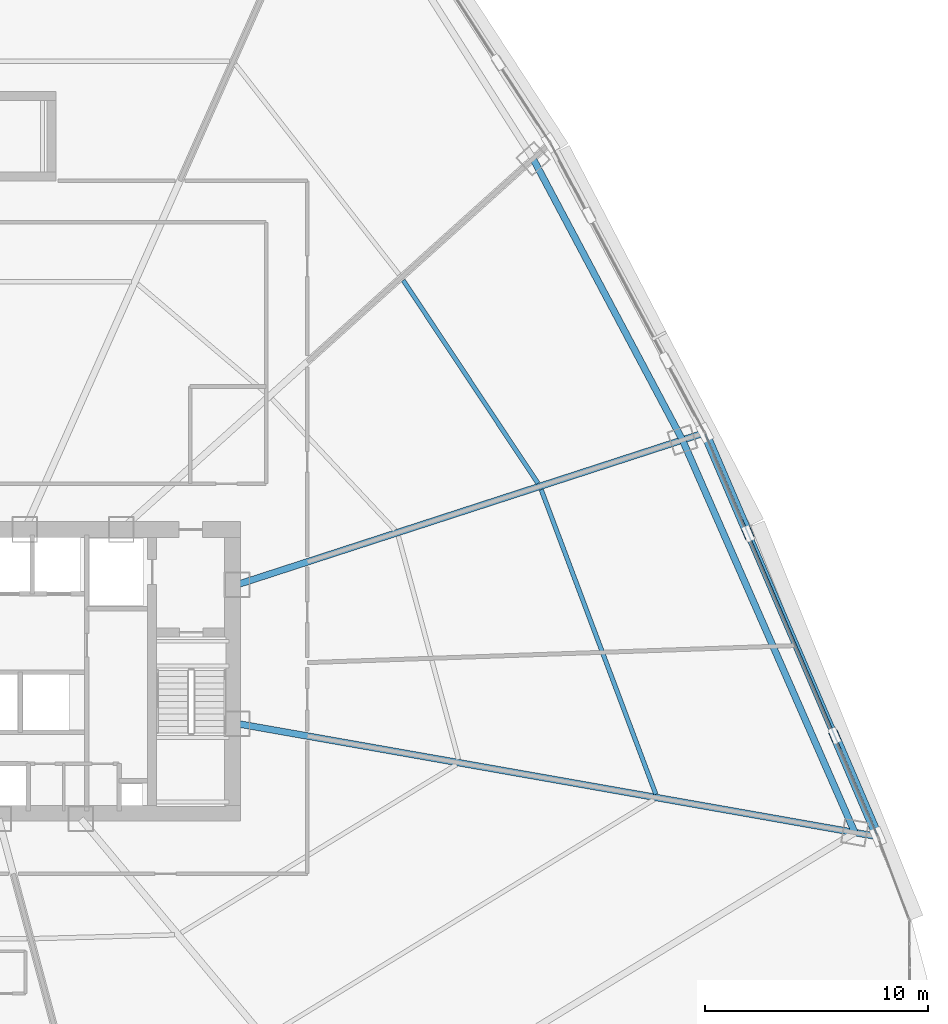
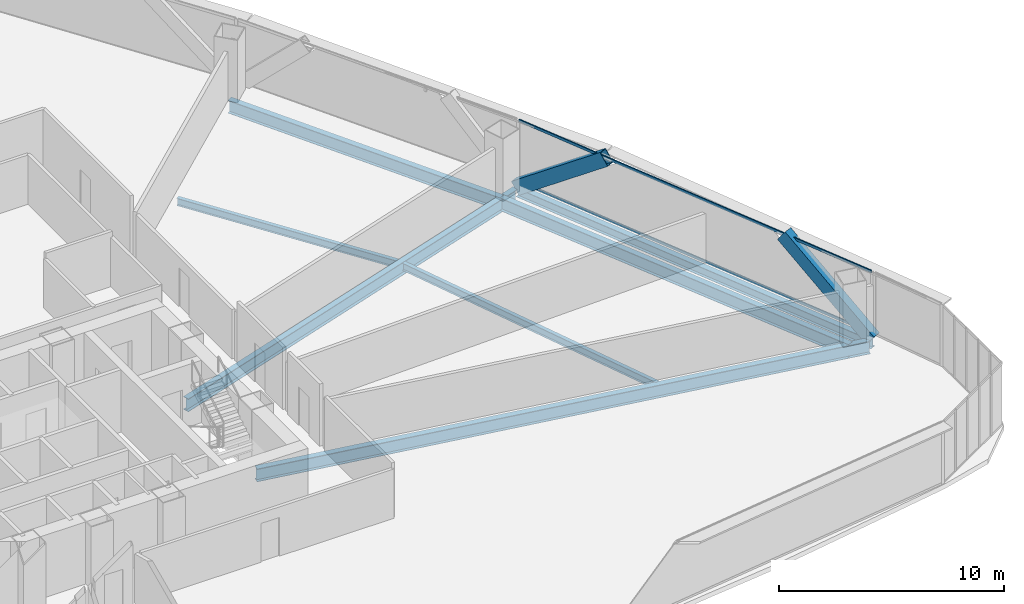
# One storey, part 23 of 41: 7 beams, 4 members, 1 element without a shape of its own.
"""IFC4 building model written with IfcOpenShell, lengths in metres."""

from ifc_helpers import new_model, si_unit, direction, frame, origin, origin_2d, place, context, subcontext, project, spatial, hollow_rectangle, i_section, extrude, source, transform, mapped, material, layer, layer_set, material_profile, profile_set, type_object, element, aggregate, save


model = new_model("IFC4")

# Units and contexts
model_context = context("Model", 3, precision=1e-05, world=origin(), true_north=direction((0.0, 1.0)))
body_context = subcontext(model_context, "Body", "Model", "MODEL_VIEW")
ifc_project = project(units=[si_unit("LENGTHUNIT", "METRE"), si_unit("AREAUNIT", "SQUARE_METRE"), si_unit("VOLUMEUNIT", "CUBIC_METRE"), si_unit("PLANEANGLEUNIT", "RADIAN"), si_unit("MASSUNIT", "GRAM", prefix="KILO"), si_unit("THERMODYNAMICTEMPERATUREUNIT", "KELVIN"), si_unit("POWERUNIT", "WATT")], contexts=[model_context])

# Site, building, storey
site_placement = place(None, origin())
site = spatial("IfcSite", under=ifc_project, at=site_placement, CompositionType="ELEMENT")
building_placement = place(site_placement, origin())
building = spatial("IfcBuilding", under=site, at=building_placement, Name="Yunzhuo Pagoda Commons", CompositionType="ELEMENT")
storey_placement = place(building_placement, frame((0.0, 0.0, 63.070068359375)))
storey = spatial("IfcBuildingStorey", under=building, at=storey_placement, Name="L16", CompositionType="ELEMENT", Elevation=63.070068359375)

# Beams
ifc_material_1 = material(Name="Structural steel Q355B", Category="steel")
ifc_material_profile_1 = material_profile(ifc_material_1, i_section(OverallWidth=0.300048828125, OverallDepth=0.699951171875, WebThickness=0.012939453125, FlangeThickness=0.02392578125, at=origin_2d()), Name="Structural steel Q355B")
ifc_profile_set_1 = profile_set([ifc_material_profile_1], Name="Structural steel Q355B")
beam_type_1 = type_object("IfcBeamType", Name="B-RG1 Beam HN 700x300x13x24", PredefinedType="BEAM", material=ifc_profile_set_1)
shared_shape_1 = source(origin(), body_context, "Body", "SweptSolid", [
    extrude(i_section(OverallWidth=0.300048828125, OverallDepth=0.699951171875, WebThickness=0.012939453125, FlangeThickness=0.02392578125, at=origin_2d()), origin(), (0.0, 0.0, 1.0), 19.18603515625),
])
beam_1_placement = place(storey_placement, frame((88.047607421875, 26.638427734375, -0.610107421875), z_axis=(-0.40196534204, 0.915654882474, 0.0), x_axis=(-0.915654882474, -0.40196534204, 0.0)))
element("IfcBeam", 1, at=beam_1_placement, inside=storey, type_object=beam_type_1, Name="L16 column-ring beam 5", PredefinedType="BEAM", context=body_context, shape_type="MappedRepresentation", body=[
    mapped(shared_shape_1, transform((0.0, 0.0, 0.0), scale=1.0)),
])
shared_shape_2 = source(origin(), body_context, "Body", "SweptSolid", [
    extrude(i_section(OverallWidth=0.300048828125, OverallDepth=0.699951171875, WebThickness=0.012939453125, FlangeThickness=0.02392578125, at=origin_2d()), origin(), (0.0, 0.0, 1.0), 14.25390625),
])
beam_2_placement = place(storey_placement, frame((80.33544921875, 44.206298828125, -0.610107421875), z_axis=(-0.469118073628, 0.883135455633, 0.0), x_axis=(-0.883135455633, -0.469118073628, 0.0)))
element("IfcBeam", 2, at=beam_2_placement, inside=storey, type_object=beam_type_1, Name="L16 column-ring beam 6", PredefinedType="BEAM", context=body_context, shape_type="MappedRepresentation", body=[
    mapped(shared_shape_2, transform((0.0, 0.0, 0.0), scale=1.0)),
])
ifc_material_profile_2 = material_profile(ifc_material_1, i_section(OverallWidth=0.199951171875, OverallDepth=0.39990234375, WebThickness=0.008056640625, FlangeThickness=0.012939453125, at=origin_2d()), Name="Structural steel Q355B")
ifc_profile_set_2 = profile_set([ifc_material_profile_2], Name="Structural steel Q355B")
beam_type_2 = type_object("IfcBeamType", Name="B-JS1 Joist HN 400x200x8x13", PredefinedType="JOIST", material=ifc_profile_set_2)
shared_shape_3 = source(origin(), body_context, "Body", "SweptSolid", [
    extrude(i_section(OverallWidth=0.199951171875, OverallDepth=0.39990234375, WebThickness=0.008056640625, FlangeThickness=0.012939453125, at=origin_2d()), origin(), (0.0, 0.0, 1.0), 14.571044921875),
])
beam_3_placement = place(storey_placement, frame((79.144287109375, 28.347412109375, -0.4599609375), z_axis=(-0.352208383632, 0.935921607027, 0.0), x_axis=(-0.935921607027, -0.352208383632, 0.0)))
element("IfcBeam", 3, at=beam_3_placement, inside=storey, type_object=beam_type_2, Name="L16 composite ring joist 2.5", PredefinedType="JOIST", context=body_context, shape_type="MappedRepresentation", body=[
    mapped(shared_shape_3, transform((0.0, 0.0, 0.0), scale=1.0)),
])
shared_shape_4 = source(origin(), body_context, "Body", "SweptSolid", [
    extrude(i_section(OverallWidth=0.199951171875, OverallDepth=0.39990234375, WebThickness=0.008056640625, FlangeThickness=0.012939453125, at=origin_2d()), origin(), (0.0, 0.0, 1.0), 10.904052734375),
])
beam_4_placement = place(storey_placement, frame((73.8681640625, 42.26611328125, -0.4599609375), z_axis=(-0.552916349928, 0.833236767061, 0.0), x_axis=(-0.833236767061, -0.552916349928, 0.0)))
element("IfcBeam", 4, at=beam_4_placement, inside=storey, type_object=beam_type_2, Name="L16 composite ring joist 2.6", PredefinedType="JOIST", context=body_context, shape_type="MappedRepresentation", body=[
    mapped(shared_shape_4, transform((0.0, 0.0, 0.0), scale=1.0)),
])
shared_shape_5 = source(origin(), body_context, "Body", "SweptSolid", [
    extrude(i_section(OverallWidth=0.300048828125, OverallDepth=0.699951171875, WebThickness=0.012939453125, FlangeThickness=0.02392578125, at=origin_2d()), origin(), (0.0, 0.0, 1.0), 28.96923828125),
])
beam_5_placement = place(storey_placement, frame((88.928955078125, 26.483154296875, -0.610107421875), z_axis=(-0.984808746464, 0.173642543427, 0.0), x_axis=(-0.173642543427, -0.984808746464, 0.0)))
element("IfcBeam", 5, at=beam_5_placement, inside=storey, type_object=beam_type_1, Name="L16 radial floor girder F2C1", PredefinedType="BEAM", context=body_context, shape_type="MappedRepresentation", body=[
    mapped(shared_shape_5, transform((0.0, 0.0, 0.0), scale=1.0)),
])
shared_shape_6 = source(origin(), body_context, "Body", "SweptSolid", [
    extrude(i_section(OverallWidth=0.300048828125, OverallDepth=0.699951171875, WebThickness=0.012939453125, FlangeThickness=0.02392578125, at=origin_2d()), origin(), (0.0, 0.0, 1.0), 21.8564453125),
])
beam_6_placement = place(storey_placement, frame((81.186767578125, 44.48291015625, -0.610107421875), z_axis=(-0.951058609715, -0.309010551415, 0.0), x_axis=(0.309010551415, -0.951058609715, 0.0)))
element("IfcBeam", 6, at=beam_6_placement, inside=storey, type_object=beam_type_1, Name="L16 radial floor girder F2C2", PredefinedType="BEAM", context=body_context, shape_type="MappedRepresentation", body=[
    mapped(shared_shape_6, transform((0.0, 0.0, 0.0), scale=1.0)),
])
ifc_material_profile_3 = material_profile(ifc_material_1, i_section(OverallWidth=0.300048828125, OverallDepth=0.488037109375, WebThickness=0.010986328125, FlangeThickness=0.01806640625, at=origin_2d()), Name="Structural steel Q355B")
ifc_profile_set_3 = profile_set([ifc_material_profile_3], Name="Structural steel Q355B")
beam_type_3 = type_object("IfcBeamType", Name="B-SP1 Beam HM 488x300x11x18", PredefinedType="BEAM", material=ifc_profile_set_3)
shared_shape_7 = source(origin(), body_context, "Body", "SweptSolid", [
    extrude(i_section(OverallWidth=0.300048828125, OverallDepth=0.488037109375, WebThickness=0.010986328125, FlangeThickness=0.01806640625, at=origin_2d()), origin(), (0.0, 0.0, 1.0), 19.665283203125),
])
beam_7_placement = place(storey_placement, frame((89.081787109375, 26.456298828125, -0.504150390625), z_axis=(-0.39398372615, 0.919117415529, 0.0), x_axis=(-0.919117415529, -0.39398372615, 0.0)))
element("IfcBeam", 7, at=beam_7_placement, inside=storey, type_object=beam_type_3, Name="L16 facade edge spandrel beam F2.1", PredefinedType="BEAM", context=body_context, shape_type="MappedRepresentation", body=[
    mapped(shared_shape_7, transform((0.0, 0.0, 0.0), scale=1.0)),
])

# Members
ifc_material_2 = material(Name="Structural steel Q420B", Category="steel")
ifc_material_profile_4 = material_profile(ifc_material_2, hollow_rectangle(XDim=0.419921875, YDim=0.719970703125, WallThickness=0.028076171875, at=origin_2d()), Name="Structural steel Q420B")
ifc_profile_set_4 = profile_set([ifc_material_profile_4], Name="Structural steel Q420B")
member_type_1 = type_object("IfcMemberType", Name="M-DL1 Brace BOX 720x420x28", PredefinedType="BRACE", material=ifc_profile_set_4)
shared_shape_8 = source(origin(), body_context, "Body", "SweptSolid", [
    extrude(hollow_rectangle(XDim=0.419921875, YDim=0.719970703125, WallThickness=0.028076171875, at=origin_2d()), origin(), (0.0, 0.0, 1.0), 6.111328125),
])
for number, where, z_axis, x_axis, name in (
    (8, (89.081787109375, 26.456298828125, -0.260009765625), (-0.316957374755, 0.739420727166, 0.593965496326), (-0.919116774061, -0.393985222616, 0.0), "L16 facade diamond brace F2.1L"),
    (9, (81.333984375, 44.531005859375, -0.260009765625), (0.316957374755, -0.739420727166, 0.593965496326), (0.919116774061, 0.393985222616, 0.0), "L16 facade diamond brace F2.1R"),
):
    element("IfcMember", number, at=place(storey_placement, frame(where, z_axis=z_axis, x_axis=x_axis)), inside=storey, type_object=member_type_1, Name=name, PredefinedType="BRACE", context=body_context, shape_type="MappedRepresentation", body=[
        mapped(shared_shape_8, transform((0.0, 0.0, 0.0), scale=1.0)),
    ])

# Curtain wall, members
ifc_material_3 = material(Name="Anodized aluminium 6063-T6", Category="aluminium")
ifc_layer = layer(ifc_material_3, 0.1650390625)
ifc_layer_set = layer_set([ifc_layer], Name="Anodized aluminium 6063-T6")
curtain_wall_type = type_object("IfcCurtainWallType", Name="CW-LOW Low-Zone Ribbon Curtain Wall", PredefinedType="NOTDEFINED", material=ifc_layer_set)
curtain_wall_placement = place(storey_placement, origin())
curtain_wall = element("IfcCurtainWall", 10, at=curtain_wall_placement, inside=storey, type_object=curtain_wall_type, Name="L16 curtain wall CW-L16-F2B2", PredefinedType="NOTDEFINED")
ifc_material_profile_5 = material_profile(ifc_material_3, hollow_rectangle(XDim=0.06005859375, YDim=0.139892578125, WallThickness=0.00341796875, at=origin_2d()), Name="Anodized aluminium 6063-T6")
ifc_profile_set_5 = profile_set([ifc_material_profile_5], Name="Anodized aluminium 6063-T6")
member_type_2 = type_object("IfcMemberType", Name="CW-LOW-T Transom RHS 140x60x3.5", PredefinedType="USERDEFINED", material=ifc_profile_set_5)
shared_shape_9 = source(origin(), body_context, "Body", "SweptSolid", [
    extrude(hollow_rectangle(XDim=0.06005859375, YDim=0.139892578125, WallThickness=0.00341796875, at=origin_2d()), origin(), (0.0, 0.0, 1.0), 19.535400390625),
])
member_1_placement = place(storey_placement, frame((89.05615234375, 26.515869140625, 0.030029296875), z_axis=(-0.393979629868, 0.919119171408, 0.0), x_axis=(-0.919119171408, -0.393979629868, 0.0)))
member_1 = element("IfcMember", 11, at=member_1_placement, type_object=member_type_2, Name="CW transom 1.1", ObjectType="TRANSOM", PredefinedType="USERDEFINED", context=body_context, shape_type="MappedRepresentation", body=[
    mapped(shared_shape_9, transform((0.0, 0.0, 0.0), scale=1.0)),
])
member_2_placement = place(storey_placement, frame((89.05615234375, 26.515869140625, 3.33984375), z_axis=(-0.393979629868, 0.919119171408, 0.0), x_axis=(-0.919119171408, -0.393979629868, 0.0)))
member_2 = element("IfcMember", 12, at=member_2_placement, type_object=member_type_2, Name="CW transom 1.2", ObjectType="TRANSOM", PredefinedType="USERDEFINED", context=body_context, shape_type="MappedRepresentation", body=[
    mapped(shared_shape_9, transform((0.0, 0.0, 0.0), scale=1.0)),
])
aggregate(curtain_wall, [member_1, member_2])

save(model, "model.ifc")
